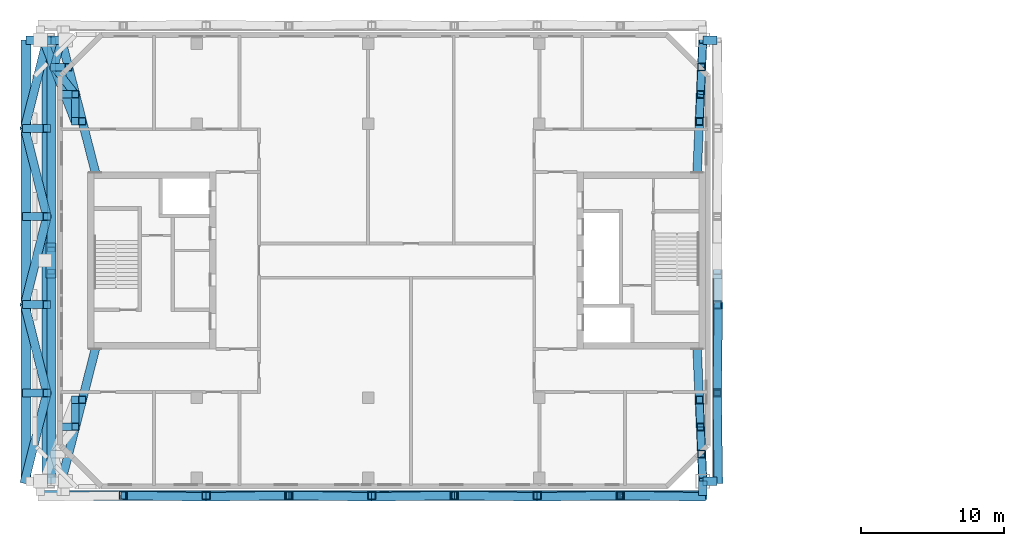
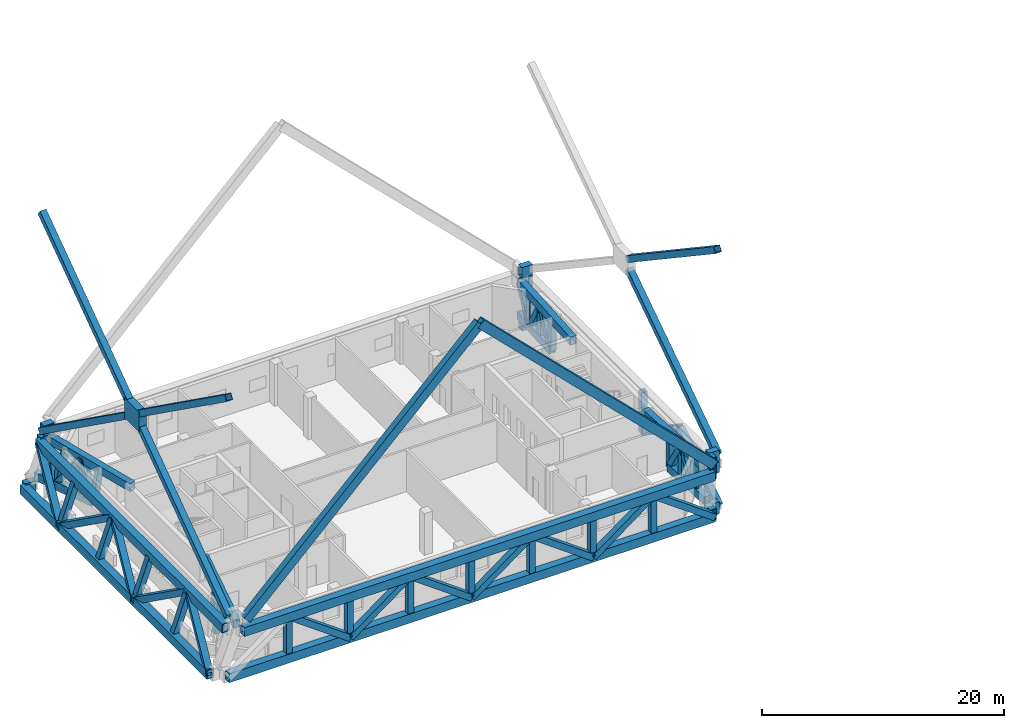
# One storey, part 2 of 20: 57 members, 23 beams.
"""IFC4 building model written with IfcOpenShell, lengths in metres."""

import ifcopenshell
import ifcopenshell.guid

model = None  # the IFC model being written
_history = None  # IfcOwnerHistory: only IFC2X3 demands one
_inside = {}  # id of a spatial element -> (the spatial element, [elements in it])
_under = {}  # id of a project, library or spatial element -> (it, [spatial elements below it])
_declared = {}  # id of a project -> (the project, [libraries it declares])
_typed = {}  # id of a type object -> (the type object, [elements of that type])
_made_of = {}  # id of a material, layer set ... -> (it, [elements and type objects made of it])


def new_model(schema):
    """Start an empty IFC model of exactly this schema.

    Asked for "IFC4X3", IfcOpenShell would pick the latest addendum, in which some entities
    have other attributes; the version numbers below select the first issue.
    IFC2X3 requires an IfcOwnerHistory on every rooted entity: one is made here for all.
    """
    global model, _history
    if schema == "IFC4X3":
        model = ifcopenshell.file(schema_version=(4, 3, 0, 0))
    else:
        model = ifcopenshell.file(schema=schema)
    _inside.clear()
    _under.clear()
    _declared.clear()
    _typed.clear()
    _made_of.clear()
    _history = None
    if model.schema == "IFC2X3":
        org = make("IfcOrganization", Name="unknown")
        user = make(
            "IfcPersonAndOrganization",
            ThePerson=make("IfcPerson", FamilyName="unknown"),
            TheOrganization=org,
        )
        app = make(
            "IfcApplication",
            ApplicationDeveloper=org,
            Version="unknown",
            ApplicationFullName="unknown",
            ApplicationIdentifier="unknown",
        )
        _history = make(
            "IfcOwnerHistory",
            OwningUser=user,
            OwningApplication=app,
            ChangeAction="ADDED",
            CreationDate=0,
        )
    return model


def make(cls, **values):
    """One entity of the class cls with the attributes given. An attribute that is None is left unset."""
    return model.create_entity(
        cls, **{name: value for name, value in values.items() if value is not None}
    )


def rooted(cls, **values):
    """An entity with a GlobalId (a new one), such as an element, a storey or a relation."""
    return make(cls, GlobalId=ifcopenshell.guid.new(), OwnerHistory=_history, **values)


def si_unit(unit_type, name, prefix=None):
    """IfcSIUnit, for example si_unit("LENGTHUNIT", "METRE", prefix="MILLI")."""
    return make("IfcSIUnit", UnitType=unit_type, Prefix=prefix, Name=name)


def assignment(units):
    """IfcUnitAssignment: the units of a project."""
    return None if units is None else make("IfcUnitAssignment", Units=units)


def point(xyz):
    """IfcCartesianPoint."""
    return None if xyz is None else make("IfcCartesianPoint", Coordinates=xyz)


def direction(xyz):
    """IfcDirection."""
    return None if xyz is None else make("IfcDirection", DirectionRatios=xyz)


def frame(location, z_axis=None, x_axis=None):
    """IfcAxis2Placement3D, a coordinate frame: its origin and axes. An axis left out is left unset."""
    return make(
        "IfcAxis2Placement3D",
        Location=point(location),
        Axis=direction(z_axis),
        RefDirection=direction(x_axis),
    )


def frame_2d(location, x_axis=None):
    """IfcAxis2Placement2D, a coordinate frame in the plane: its origin and x axis."""
    return make(
        "IfcAxis2Placement2D", Location=point(location), RefDirection=direction(x_axis)
    )


def origin():
    """The frame at (0, 0, 0) with its axes left unset."""
    return frame((0.0, 0.0, 0.0))


def origin_2d():
    """The frame at (0, 0) in the plane with its x axis left unset."""
    return frame_2d((0.0, 0.0))


def place(relative_to, where):
    """IfcLocalPlacement: puts the frame where relative to a parent placement (None: the world)."""
    return make(
        "IfcLocalPlacement", PlacementRelTo=relative_to, RelativePlacement=where
    )


def context(
    kind, dimensions, precision=None, world=None, true_north=None, identifier=None
):
    """IfcGeometricRepresentationContext, for example the 3D "Model" context."""
    return make(
        "IfcGeometricRepresentationContext",
        ContextIdentifier=identifier,
        ContextType=kind,
        CoordinateSpaceDimension=dimensions,
        Precision=precision,
        WorldCoordinateSystem=world,
        TrueNorth=true_north,
    )


def subcontext(parent, identifier, kind, view, scale=None):
    """IfcGeometricRepresentationSubContext, for example "Body" below "Model"."""
    return make(
        "IfcGeometricRepresentationSubContext",
        ContextIdentifier=identifier,
        ContextType=kind,
        ParentContext=parent,
        TargetScale=scale,
        TargetView=view,
    )


def project(units=None, contexts=None):
    """IfcProject with its units and contexts."""
    return rooted(
        "IfcProject",
        Name="project",
        RepresentationContexts=contexts,
        UnitsInContext=assignment(units),
    )


def spatial(cls, under=None, at=None, **own):
    """A site, building, storey or space (cls), placed at a placement, below another one or the project."""
    s = rooted(cls, ObjectPlacement=at, **own)
    if under is not None:
        _under.setdefault(under.id(), (under, []))[1].append(s)
    return s


def profile(cls, at=None, kind="AREA", **sizes):
    """A parametric profile (cls). Its sizes go by their IFC names, for example OverallWidth=200.0."""
    return make(cls, ProfileType=kind, Position=at, **sizes)


def rectangle(**sizes):
    """IfcRectangleProfileDef."""
    return profile("IfcRectangleProfileDef", **sizes)


def hollow_rectangle(**sizes):
    """IfcRectangleHollowProfileDef."""
    return profile("IfcRectangleHollowProfileDef", **sizes)


def extrude(swept, where, along, depth):
    """IfcExtrudedAreaSolid: the profile swept, set in the frame where, extruded along a direction by depth."""
    return make(
        "IfcExtrudedAreaSolid",
        SweptArea=swept,
        Position=where,
        ExtrudedDirection=direction(along),
        Depth=depth,
    )


def shape(context_of_items, identifier, shape_type, items):
    """IfcShapeRepresentation: the items that make up one representation, for example the "Body"."""
    return make(
        "IfcShapeRepresentation",
        ContextOfItems=context_of_items,
        RepresentationIdentifier=identifier,
        RepresentationType=shape_type,
        Items=items,
    )


def material(Name=None, Category=None):
    """IfcMaterial."""
    return make("IfcMaterial", Name=Name, Category=Category)


def material_profile(
    of_material, cross_section, Name=None, Category=None, Priority=None
):
    """IfcMaterialProfile: a cross section and its material."""
    return make(
        "IfcMaterialProfile",
        Name=Name,
        Material=of_material,
        Profile=cross_section,
        Priority=Priority,
        Category=Category,
    )


def profile_set(profiles, Name=None, composite=None):
    """IfcMaterialProfileSet."""
    return make(
        "IfcMaterialProfileSet",
        Name=Name,
        MaterialProfiles=profiles,
        CompositeProfile=composite,
    )


def made_of(thing, what):
    """Note that an element or type object is made of a material, layer set ...; save() writes the relation."""
    if what is not None:
        _made_of.setdefault(what.id(), (what, []))[1].append(thing)
    return thing


def type_object(cls, material=None, **own):
    """A type object (cls), such as IfcWallType, which elements share."""
    return made_of(rooted(cls, **own), material)


def element(
    cls,
    number,
    at=None,
    inside=None,
    cuts=None,
    type_object=None,
    material=None,
    context=None,
    identifier="Body",
    shape_type=None,
    held_by="IfcProductDefinitionShape",
    body=None,
    shapes=None,
    **own,
):
    """One element of the class cls, such as IfcWall. Its Tag is "e" and its number.

    at: its placement. inside: the storey or other place that contains it. cuts: it is an
    opening in that element (IfcRelVoidsElement). A single representation is given by context,
    identifier, shape_type and body (its items); several are given by shapes. held_by: the class
    of the entity that holds the representations. save() writes the other relations.
    """
    e = rooted(cls, Tag="e%d" % number, ObjectPlacement=at, **own)
    if body is not None:
        shapes = [shape(context, identifier, shape_type, body)]
    if shapes is not None:
        e.Representation = make(held_by, Representations=shapes)
    if inside is not None:
        _inside.setdefault(inside.id(), (inside, []))[1].append(e)
    if cuts is not None:
        rooted(
            "IfcRelVoidsElement", RelatingBuildingElement=cuts, RelatedOpeningElement=e
        )
    if type_object is not None:
        _typed.setdefault(type_object.id(), (type_object, []))[1].append(e)
    return made_of(e, material)


def aggregate(whole, parts):
    """IfcRelAggregates: a whole, such as a stair, and the parts it consists of."""
    return rooted("IfcRelAggregates", RelatingObject=whole, RelatedObjects=parts)


def save(model, path):
    """Write the relations noted so far, then the file.

    IfcRelAggregates (storeys below a building ...), IfcRelContainedInSpatialStructure (elements
    in a storey), IfcRelDefinesByType, IfcRelAssociatesMaterial and IfcRelDeclares: one each for
    every whole, place, type object, material and project.
    """
    for whole, parts in _under.values():
        aggregate(whole, parts)
    for where, things in _inside.values():
        rooted(
            "IfcRelContainedInSpatialStructure",
            RelatedElements=things,
            RelatingStructure=where,
        )
    for kind, things in _typed.values():
        rooted("IfcRelDefinesByType", RelatedObjects=things, RelatingType=kind)
    for what, things in _made_of.values():
        rooted("IfcRelAssociatesMaterial", RelatedObjects=things, RelatingMaterial=what)
    for by, libraries in _declared.values():
        rooted("IfcRelDeclares", RelatingContext=by, RelatedDefinitions=libraries)
    model.write(path)


model = new_model("IFC4")

# Units and contexts
model_context = context("Model", 3, precision=1e-05, world=origin(), true_north=direction((0.0, 1.0)))
body_context = subcontext(model_context, "Body", "Model", "MODEL_VIEW")
ifc_project = project(units=[si_unit("LENGTHUNIT", "METRE"), si_unit("AREAUNIT", "SQUARE_METRE"), si_unit("VOLUMEUNIT", "CUBIC_METRE"), si_unit("PLANEANGLEUNIT", "RADIAN"), si_unit("MASSUNIT", "GRAM", prefix="KILO")], contexts=[model_context])

# Site, building, storey
site_placement = place(None, origin())
site = spatial("IfcSite", under=ifc_project, at=site_placement, CompositionType="ELEMENT")
building_placement = place(site_placement, origin())
building = spatial("IfcBuilding", under=site, at=building_placement, Name="Tuart Gate Housing", CompositionType="ELEMENT")
storey_placement = place(building_placement, frame((0.0, 0.0, 167.10009765625)))
storey = spatial("IfcBuildingStorey", under=building, at=storey_placement, Name="L47", CompositionType="ELEMENT", Elevation=167.10009765625)

# Beams
ifc_material_1 = material(Name="Steel Grade 350", Category="steel")
ifc_material_profile_1 = material_profile(ifc_material_1, hollow_rectangle(XDim=0.699951171875, YDim=0.89990234375, WallThickness=0.0400390625, at=origin_2d()), Name="BOX 900x700x40")
ifc_profile_set_1 = profile_set([ifc_material_profile_1], Name="Steel Grade 350")
beam_type_1 = type_object("IfcBeamType", Name="Belt truss chord BOX 900x700x40", PredefinedType="BEAM", material=ifc_profile_set_1)
beam_1_placement = place(storey_placement, frame((29.50830078125, 54.550048828125, 3.75), z_axis=(0.0, 1.0, 0.0), x_axis=(-1.0, 0.0, 0.0)))
element("IfcBeam", 1, at=beam_1_placement, inside=storey, type_object=beam_type_1, Name="Belt truss top chord A west L47", PredefinedType="BEAM", context=body_context, shape_type="SweptSolid", body=[
    extrude(hollow_rectangle(XDim=0.699951171875, YDim=0.89990234375, WallThickness=0.0400390625, at=origin_2d()), origin(), (0.0, 0.0, 1.0), 30.89990234375),
])
ifc_material_2 = material(Name="Steel Grade 350", Category="steel")
ifc_material_profile_2 = material_profile(ifc_material_2, hollow_rectangle(XDim=0.699951171875, YDim=0.89990234375, WallThickness=0.0400390625, at=origin_2d()), Name="BOX 900x700x40")
ifc_profile_set_2 = profile_set([ifc_material_profile_2], Name="Steel Grade 350")
beam_type_2 = type_object("IfcBeamType", Name="Belt truss chord BOX 900x700x40 (40.9-51.9 m)", PredefinedType="BEAM", material=ifc_profile_set_2)
beam_2_placement = place(storey_placement, frame((30.50830078125, 53.550048828125, 3.75), z_axis=(1.0, 0.0, 0.0), x_axis=(0.0, 1.0, 0.0)))
element("IfcBeam", 2, at=beam_2_placement, inside=storey, type_object=beam_type_2, Name="Belt truss top chord A south L47", PredefinedType="BEAM", context=body_context, shape_type="SweptSolid", body=[
    extrude(hollow_rectangle(XDim=0.699951171875, YDim=0.89990234375, WallThickness=0.0400390625, at=origin_2d()), origin(), (0.0, 0.0, 1.0), 44.941650390625),
])

# Members
ifc_material_3 = material(Name="Steel Grade 350", Category="steel")
ifc_material_profile_3 = material_profile(ifc_material_3, hollow_rectangle(XDim=0.60009765625, YDim=0.60009765625, WallThickness=0.031982421875, at=origin_2d()), Name="BOX 600x600x32")
ifc_profile_set_3 = profile_set([ifc_material_profile_3], Name="Steel Grade 350")
member_type_1 = type_object("IfcMemberType", Name="Belt truss diagonal BOX 600x600x32", PredefinedType="BRACE", material=ifc_profile_set_3)
member_1_placement = place(storey_placement, frame((34.85009765625, 53.550048828125, 3.75), z_axis=(0.813160409386, -0.014034171066, -0.581870424278), x_axis=(0.017256227946, 0.999851100213, 0.0)))
element("IfcMember", 3, at=member_1_placement, inside=storey, type_object=member_type_1, Name="Belt truss diagonal A south 1 L47", PredefinedType="BRACE", context=body_context, shape_type="SweptSolid", body=[
    extrude(hollow_rectangle(XDim=0.60009765625, YDim=0.60009765625, WallThickness=0.031982421875, at=origin_2d()), origin(), (0.0, 0.0, 1.0), 7.13232421875),
])
for number, where, z_axis, x_axis, name in (
    (4, (40.64990234375, 53.449951171875, -0.400146484375), (0.813172004898, 0.014033780444, 0.581854228701), (-0.017255501798, 0.999851112745, 0.0), "Belt truss diagonal A south 2 L47"),
    (5, (46.449951171875, 53.550048828125, 3.75), (0.813172004898, -0.014033780444, -0.581854228701), (0.017255501798, 0.999851112745, 0.0), "Belt truss diagonal A south 3 L47"),
    (6, (52.25, 53.449951171875, -0.400146484375), (0.813172004898, 0.014033780444, 0.581854228701), (-0.017255501798, 0.999851112745, 0.0), "Belt truss diagonal A south 4 L47"),
    (7, (58.050048828125, 53.550048828125, 3.75), (0.813172004898, -0.014033780444, -0.581854228701), (0.017255501798, 0.999851112745, 0.0), "Belt truss diagonal A south 5 L47"),
):
    element("IfcMember", number, at=place(storey_placement, frame(where, z_axis=z_axis, x_axis=x_axis)), inside=storey, type_object=member_type_1, Name=name, PredefinedType="BRACE", context=body_context, shape_type="SweptSolid", body=[
        extrude(hollow_rectangle(XDim=0.60009765625, YDim=0.60009765625, WallThickness=0.031982421875, at=origin_2d()), origin(), (0.0, 0.0, 1.0), 7.132568359375),
    ])
member_2_placement = place(storey_placement, frame((63.85009765625, 53.449951171875, -0.400146484375), z_axis=(0.813160409386, 0.014034171066, 0.581870424278), x_axis=(-0.017256227946, 0.999851100213, 0.0)))
element("IfcMember", 8, at=member_2_placement, inside=storey, type_object=member_type_1, Name="Belt truss diagonal A south 6 L47", PredefinedType="BRACE", context=body_context, shape_type="SweptSolid", body=[
    extrude(hollow_rectangle(XDim=0.60009765625, YDim=0.60009765625, WallThickness=0.031982421875, at=origin_2d()), origin(), (0.0, 0.0, 1.0), 7.13232421875),
])
member_3_placement = place(storey_placement, frame((69.64990234375, 53.550048828125, 3.75), z_axis=(0.813172004898, -0.014033780444, -0.581854228701), x_axis=(0.017255501798, 0.999851112745, 0.0)))
element("IfcMember", 9, at=member_3_placement, inside=storey, type_object=member_type_1, Name="Belt truss diagonal A south 7 L47", PredefinedType="BRACE", context=body_context, shape_type="SweptSolid", body=[
    extrude(hollow_rectangle(XDim=0.60009765625, YDim=0.60009765625, WallThickness=0.031982421875, at=origin_2d()), origin(), (0.0, 0.0, 1.0), 7.132568359375),
])
for number, where, z_axis, x_axis, name in (
    (10, (27.949951171875, 54.550048828125, -0.400146484375), (0.204897553184, 0.812560201121, 0.545676563776), (-0.969647016949, 0.244509023395, 0.0), "Belt truss diagonal A west 0 L47"),
    (11, (29.50830078125, 60.72998046875, 3.75), (-0.204897553184, 0.812560201121, -0.545676563776), (-0.969647016949, -0.244509023395, 0.0), "Belt truss diagonal A west 1 L47"),
):
    element("IfcMember", number, at=place(storey_placement, frame(where, z_axis=z_axis, x_axis=x_axis)), inside=storey, type_object=member_type_1, Name=name, PredefinedType="BRACE", context=body_context, shape_type="SweptSolid", body=[
        extrude(hollow_rectangle(XDim=0.60009765625, YDim=0.60009765625, WallThickness=0.031982421875, at=origin_2d()), origin(), (0.0, 0.0, 1.0), 7.60546875),
    ])
member_4_placement = place(storey_placement, frame((27.949951171875, 66.909912109375, -0.400146484375), z_axis=(0.204892208823, 0.812571106711, 0.545662330844), x_axis=(-0.96964930695, 0.244499941782, 0.0)))
element("IfcMember", 12, at=member_4_placement, inside=storey, type_object=member_type_1, Name="Belt truss diagonal A west 2 L47", PredefinedType="BRACE", context=body_context, shape_type="SweptSolid", body=[
    extrude(hollow_rectangle(XDim=0.60009765625, YDim=0.60009765625, WallThickness=0.031982421875, at=origin_2d()), origin(), (0.0, 0.0, 1.0), 7.605712890625),
])
for number, where, z_axis, x_axis, name in (
    (13, (29.50830078125, 73.090087890625, 3.75), (-0.204897553184, 0.812560201121, -0.545676563776), (-0.969647016949, -0.244509023395, 0.0), "Belt truss diagonal A west 3 L47"),
    (14, (27.949951171875, 79.27001953125, -0.400146484375), (0.204897553184, 0.812560201121, 0.545676563776), (-0.969647016949, 0.244509023395, 0.0), "Belt truss diagonal A west 4 L47"),
):
    element("IfcMember", number, at=place(storey_placement, frame(where, z_axis=z_axis, x_axis=x_axis)), inside=storey, type_object=member_type_1, Name=name, PredefinedType="BRACE", context=body_context, shape_type="SweptSolid", body=[
        extrude(hollow_rectangle(XDim=0.60009765625, YDim=0.60009765625, WallThickness=0.031982421875, at=origin_2d()), origin(), (0.0, 0.0, 1.0), 7.60546875),
    ])
for number, where, z_axis, x_axis, name in (
    (15, (76.550048828125, 54.550048828125, -0.400146484375), (-0.013445282135, 0.830098601658, 0.55745451466), (-0.999868850984, -0.016195086671, 0.0), "Belt truss diagonal A east 0 L47"),
    (16, (76.449951171875, 60.72998046875, 3.75), (0.013445282135, 0.830098601658, -0.55745451466), (-0.999868850984, 0.016195086671, 0.0), "Belt truss diagonal A east 1 L47"),
):
    element("IfcMember", number, at=place(storey_placement, frame(where, z_axis=z_axis, x_axis=x_axis)), inside=storey, type_object=member_type_1, Name=name, PredefinedType="BRACE", context=body_context, shape_type="SweptSolid", body=[
        extrude(hollow_rectangle(XDim=0.60009765625, YDim=0.60009765625, WallThickness=0.031982421875, at=origin_2d()), origin(), (0.0, 0.0, 1.0), 7.44482421875),
    ])
ifc_material_4 = material(Name="Steel Grade 350", Category="steel")
ifc_material_profile_4 = material_profile(ifc_material_4, hollow_rectangle(XDim=0.56005859375, YDim=0.56005859375, WallThickness=0.030029296875, at=origin_2d()), Name="BOX 560x560x30")
ifc_profile_set_4 = profile_set([ifc_material_profile_4], Name="Steel Grade 350")
member_type_2 = type_object("IfcMemberType", Name="Belt truss post BOX 560x560x30", PredefinedType="POST", material=ifc_profile_set_4)
for number, where, z_axis, x_axis, name in (
    (17, (34.85009765625, 53.550048828125, -0.400146484375), (0.0, 0.0, 1.0), (1.0, 0.0, 0.0), "Belt truss post A south 1 L47"),
    (18, (40.64990234375, 53.550048828125, -0.400146484375), (0.0, 0.0, 1.0), (1.0, 0.0, 0.0), "Belt truss post A south 2 L47"),
    (19, (46.449951171875, 53.550048828125, -0.400146484375), (0.0, 0.0, 1.0), (1.0, 0.0, 0.0), "Belt truss post A south 3 L47"),
    (20, (52.25, 53.550048828125, -0.400146484375), (0.0, 0.0, 1.0), (1.0, 0.0, 0.0), "Belt truss post A south 4 L47"),
    (21, (58.050048828125, 53.550048828125, -0.400146484375), (0.0, 0.0, 1.0), (1.0, 0.0, 0.0), "Belt truss post A south 5 L47"),
    (22, (63.85009765625, 53.550048828125, -0.400146484375), (0.0, 0.0, 1.0), (1.0, 0.0, 0.0), "Belt truss post A south 6 L47"),
    (23, (69.64990234375, 53.550048828125, -0.400146484375), (0.0, 0.0, 1.0), (1.0, 0.0, 0.0), "Belt truss post A south 7 L47"),
):
    element("IfcMember", number, at=place(storey_placement, frame(where, z_axis=z_axis, x_axis=x_axis)), inside=storey, type_object=member_type_2, Name=name, PredefinedType="POST", context=body_context, shape_type="SweptSolid", body=[
        extrude(hollow_rectangle(XDim=0.56005859375, YDim=0.56005859375, WallThickness=0.030029296875, at=origin_2d()), origin(), (0.0, 0.0, 1.0), 4.150146484375),
    ])
for number, where, z_axis, x_axis, name in (
    (24, (28.050048828125, 60.72998046875, -0.400146484375), (0.331504687585, 0.0, 0.943453571783), (0.0, 1.0, 0.0), "Belt truss post A west 1 L47"),
    (25, (28.050048828125, 66.909912109375, -0.400146484375), (0.331504687585, 0.0, 0.943453571783), (0.0, 1.0, 0.0), "Belt truss post A west 2 L47"),
    (26, (28.050048828125, 73.090087890625, -0.400146484375), (0.331504687585, 0.0, 0.943453571783), (0.0, 1.0, 0.0), "Belt truss post A west 3 L47"),
    (27, (28.050048828125, 79.27001953125, -0.400146484375), (0.331504687585, 0.0, 0.943453571783), (0.0, 1.0, 0.0), "Belt truss post A west 4 L47"),
):
    element("IfcMember", number, at=place(storey_placement, frame(where, z_axis=z_axis, x_axis=x_axis)), inside=storey, type_object=member_type_2, Name=name, PredefinedType="POST", context=body_context, shape_type="SweptSolid", body=[
        extrude(hollow_rectangle(XDim=0.56005859375, YDim=0.56005859375, WallThickness=0.030029296875, at=origin_2d()), origin(), (0.0, 0.0, 1.0), 4.39892578125),
    ])
for number, where, z_axis, x_axis, name in (
    (28, (76.449951171875, 60.72998046875, -0.400146484375), (0.0, 0.0, 1.0), (1.0, 0.0, 0.0), "Belt truss post A east 1 L47"),
    (29, (76.449951171875, 66.909912109375, -0.400146484375), (0.0, 0.0, 1.0), (1.0, 0.0, 0.0), "Belt truss post A east 2 L47"),
):
    element("IfcMember", number, at=place(storey_placement, frame(where, z_axis=z_axis, x_axis=x_axis)), inside=storey, type_object=member_type_2, Name=name, PredefinedType="POST", context=body_context, shape_type="SweptSolid", body=[
        extrude(hollow_rectangle(XDim=0.56005859375, YDim=0.56005859375, WallThickness=0.030029296875, at=origin_2d()), origin(), (0.0, 0.0, 1.0), 4.150146484375),
    ])
ifc_material_5 = material(Name="Steel Grade 350", Category="steel")
ifc_material_profile_5 = material_profile(ifc_material_5, rectangle(XDim=2.446044921875, YDim=2.0048828125, at=origin_2d()), Name="Brace node plate 2446 x 2005")
ifc_profile_set_5 = profile_set([ifc_material_profile_5], Name="Steel Grade 350")
member_type_3 = type_object("IfcMemberType", Name="Brace node plate 2446 x 2005", PredefinedType="PLATE", material=ifc_profile_set_5)
member_5_placement = place(storey_placement, frame((29.455078125, 70.0, 15.85986328125), z_axis=(1.0, 0.0, 0.0), x_axis=(0.0, 1.0, 0.0)))
element("IfcMember", 30, at=member_5_placement, inside=storey, type_object=member_type_3, Name="Brace node A zone 7 west", PredefinedType="PLATE", context=body_context, shape_type="SweptSolid", body=[
    extrude(rectangle(XDim=2.446044921875, YDim=2.0048828125, at=origin_2d()), origin(), (0.0, 0.0, 1.0), 0.68994140625),
])

# Beams
ifc_material_6 = material(Name="Steel Grade 350", Category="steel")
ifc_material_profile_6 = material_profile(ifc_material_6, hollow_rectangle(XDim=0.60009765625, YDim=1.199951171875, WallThickness=0.0400390625, at=origin_2d()), Name="BOX 1200x600x40")
ifc_profile_set_6 = profile_set([ifc_material_profile_6], Name="Steel Grade 350")
beam_type_3 = type_object("IfcBeamType", Name="Brace shoe BOX 1200x600x40", PredefinedType="BEAM", material=ifc_profile_set_6)
for number, where, z_axis, x_axis, name in (
    (31, (75.449951171875, 54.550048828125, -0.400146484375), (0.0, -1.0, 0.0), (1.0, 0.0, 0.0), "Mega tie beam A node 6 south shoe 1 L47"),
    (32, (29.050048828125, 85.449951171875, -0.400146484375), (-1.0, 0.0, 0.0), (0.0, -1.0, 0.0), "Mega tie beam A node 6 west shoe 1 L47"),
    (33, (75.449951171875, 54.550048828125, -0.400146484375), (1.0, 0.0, 0.0), (0.0, 1.0, 0.0), "Mega tie beam A node 6 east shoe 0 L47"),
    (34, (75.449951171875, 85.449951171875, -0.400146484375), (1.0, 0.0, 0.0), (0.0, 1.0, 0.0), "Mega tie beam A node 6 east shoe 1 L47"),
    (35, (75.449951171875, 54.550048828125, 4.81982421875), (0.0, -1.0, 0.0), (1.0, 0.0, 0.0), "Mega brace shoe A zone 7 south chevron 2"),
    (36, (30.800048828125, 85.449951171875, 4.81982421875), (-1.0, 0.0, 0.0), (0.0, -1.0, 0.0), "Mega brace shoe A zone 7 west cross 2"),
    (37, (75.449951171875, 54.550048828125, 4.81982421875), (1.0, 0.0, 0.0), (0.0, 1.0, 0.0), "Mega brace shoe A zone 7 east cross 1"),
    (38, (75.449951171875, 85.449951171875, 4.81982421875), (1.0, 0.0, 0.0), (0.0, 1.0, 0.0), "Mega brace shoe A zone 7 east cross 2"),
    (39, (75.449951171875, 54.550048828125, 3.75), (0.0, -1.0, 0.0), (1.0, 0.0, 0.0), "Belt truss top chord A south shoe 1 L47"),
    (40, (30.50830078125, 85.449951171875, 3.75), (-1.0, 0.0, 0.0), (0.0, -1.0, 0.0), "Belt truss top chord A west shoe 1 L47"),
    (41, (75.449951171875, 54.550048828125, 3.75), (1.0, 0.0, 0.0), (0.0, 1.0, 0.0), "Belt truss top chord A east shoe 0 L47"),
    (42, (75.449951171875, 85.449951171875, 3.75), (1.0, 0.0, 0.0), (0.0, 1.0, 0.0), "Belt truss top chord A east shoe 1 L47"),
):
    element("IfcBeam", number, at=place(storey_placement, frame(where, z_axis=z_axis, x_axis=x_axis)), inside=storey, type_object=beam_type_3, Name=name, PredefinedType="BEAM", context=body_context, shape_type="SweptSolid", body=[
        extrude(hollow_rectangle(XDim=0.60009765625, YDim=1.199951171875, WallThickness=0.0400390625, at=origin_2d()), origin(), (0.0, 0.0, 1.0), 1.0),
    ])

# Members
ifc_material_7 = material(Name="Steel Grade 350", Category="steel")
ifc_material_profile_7 = material_profile(ifc_material_7, hollow_rectangle(XDim=0.60009765625, YDim=0.60009765625, WallThickness=0.030029296875, at=origin_2d()), Name="BOX 600x600x30")
ifc_profile_set_7 = profile_set([ifc_material_profile_7], Name="Steel Grade 350")
member_type_4 = type_object("IfcMemberType", Name="Mega brace BOX 600x600x30", PredefinedType="BRACE", material=ifc_profile_set_7)
for number, where, z_axis, x_axis, name in (
    (43, (29.800048828125, 54.550048828125, 4.81982421875), (0.0, 0.813622806958, 0.581393092492), (-1.0, 0.0, 0.0), "Mega brace A zone 7 west cross 1 a"),
    (44, (29.800048828125, 70.77294921875, 16.412109375), (0.0, 0.813622806958, 0.581393092492), (-1.0, 0.0, 0.0), "Mega brace A zone 7 west cross 1 b"),
    (45, (29.800048828125, 85.449951171875, 4.81982421875), (0.0, -0.813622806958, 0.581393092492), (1.0, 0.0, 0.0), "Mega brace A zone 7 west cross 2 a"),
    (46, (29.800048828125, 69.22705078125, 16.412109375), (0.0, -0.813622806958, 0.581393092492), (1.0, 0.0, 0.0), "Mega brace A zone 7 west cross 2 b"),
):
    element("IfcMember", number, at=place(storey_placement, frame(where, z_axis=z_axis, x_axis=x_axis)), inside=storey, type_object=member_type_4, Name=name, PredefinedType="BRACE", context=body_context, shape_type="SweptSolid", body=[
        extrude(hollow_rectangle(XDim=0.60009765625, YDim=0.60009765625, WallThickness=0.030029296875, at=origin_2d()), origin(), (0.0, 0.0, 1.0), 18.0390625),
    ])
for number, where, z_axis, x_axis, name in (
    (47, (76.449951171875, 54.550048828125, 4.81982421875), (0.0, 0.831050370264, 0.556197161161), (-1.0, 0.0, 0.0), "Mega brace A zone 7 east cross 1 a"),
    (48, (76.449951171875, 69.21044921875, 15.688232421875), (0.0, -0.831050370264, 0.556197161161), (1.0, 0.0, 0.0), "Mega brace A zone 7 east cross 2 b"),
):
    element("IfcMember", number, at=place(storey_placement, frame(where, z_axis=z_axis, x_axis=x_axis)), inside=storey, type_object=member_type_4, Name=name, PredefinedType="BRACE", context=body_context, shape_type="SweptSolid", body=[
        extrude(hollow_rectangle(XDim=0.60009765625, YDim=0.60009765625, WallThickness=0.030029296875, at=origin_2d()), origin(), (0.0, 0.0, 1.0), 17.640869140625),
    ])
ifc_material_8 = material(Name="Steel Grade 350", Category="steel")
ifc_material_profile_8 = material_profile(ifc_material_8, hollow_rectangle(XDim=0.60009765625, YDim=0.85009765625, WallThickness=0.0419921875, at=origin_2d()), Name="BOX 850x600x42")
ifc_profile_set_8 = profile_set([ifc_material_profile_8], Name="Steel Grade 350")
member_type_5 = type_object("IfcMemberType", Name="Mega brace BOX 850x600x42", PredefinedType="BRACE", material=ifc_profile_set_8)
for number, where, z_axis, x_axis, name in (
    (49, (30.800048828125, 53.550048828125, 4.81982421875), (0.710995334989, 0.0, 0.703196724696), (0.0, 1.0, 0.0), "Mega brace A zone 7 south chevron 1"),
    (50, (75.449951171875, 53.550048828125, 4.81982421875), (-0.710995334989, 0.0, 0.703196724696), (0.0, -1.0, 0.0), "Mega brace A zone 7 south chevron 2"),
):
    element("IfcMember", number, at=place(storey_placement, frame(where, z_axis=z_axis, x_axis=x_axis)), inside=storey, type_object=member_type_5, Name=name, PredefinedType="BRACE", context=body_context, shape_type="SweptSolid", body=[
        extrude(hollow_rectangle(XDim=0.60009765625, YDim=0.85009765625, WallThickness=0.0419921875, at=origin_2d()), origin(), (0.0, 0.0, 1.0), 31.399658203125),
    ])

# Beams
ifc_material_9 = material(Name="Steel Grade 350", Category="steel")
ifc_material_profile_9 = material_profile(ifc_material_9, hollow_rectangle(XDim=0.60009765625, YDim=0.800048828125, WallThickness=0.0400390625, at=origin_2d()), Name="BOX 800x600x40")
ifc_profile_set_9 = profile_set([ifc_material_profile_9], Name="Steel Grade 350")
beam_type_4 = type_object("IfcBeamType", Name="Outrigger chord BOX 800x600x40", PredefinedType="BEAM", material=ifc_profile_set_9)
beam_3_placement = place(storey_placement, frame((31.481689453125, 79.75, 0.5498046875), z_axis=(-0.362606137903, 0.931942481463, 0.0), x_axis=(-0.931942481463, -0.362606137903, 0.0)))
element("IfcBeam", 51, at=beam_3_placement, inside=storey, type_object=beam_type_4, Name="Outrigger bottom chord AK north 0 L47", PredefinedType="BEAM", context=body_context, shape_type="SweptSolid", body=[
    extrude(hollow_rectangle(XDim=0.60009765625, YDim=0.800048828125, WallThickness=0.0400390625, at=origin_2d()), origin(), (0.0, 0.0, 1.0), 6.1162109375),
])
for number, where, z_axis, x_axis, name in (
    (52, (75.2041015625, 60.25, 0.5498046875), (0.043091815399, -0.99907111631, 0.0), (0.99907111631, 0.043091815399, 0.0), "Outrigger bottom chord AG south 0 L47"),
    (53, (75.2041015625, 79.75, 0.5498046875), (0.043091815399, 0.99907111631, 0.0), (-0.99907111631, 0.043091815399, 0.0), "Outrigger bottom chord AG north 0 L47"),
):
    element("IfcBeam", number, at=place(storey_placement, frame(where, z_axis=z_axis, x_axis=x_axis)), inside=storey, type_object=beam_type_4, Name=name, PredefinedType="BEAM", context=body_context, shape_type="SweptSolid", body=[
        extrude(hollow_rectangle(XDim=0.60009765625, YDim=0.800048828125, WallThickness=0.0400390625, at=origin_2d()), origin(), (0.0, 0.0, 1.0), 5.705322265625),
    ])
ifc_material_10 = material(Name="Steel Grade 350", Category="steel")
ifc_material_profile_10 = material_profile(ifc_material_10, hollow_rectangle(XDim=0.60009765625, YDim=0.800048828125, WallThickness=0.0400390625, at=origin_2d()), Name="BOX 800x600x40")
ifc_profile_set_10 = profile_set([ifc_material_profile_10], Name="Steel Grade 350")
beam_type_5 = type_object("IfcBeamType", Name="Outrigger chord BOX 800x600x40 (8.2-10.5 m)", PredefinedType="BEAM", material=ifc_profile_set_10)
for number, where, z_axis, x_axis, name in (
    (54, (32.9599609375, 64.050048828125, 3.7998046875), (-0.248014746901, -0.968756256919, 0.0), (0.968756256919, -0.248014746901, 0.0), "Outrigger top chord AK south L47"),
    (55, (32.9599609375, 75.949951171875, 3.7998046875), (-0.248014746901, 0.968756256919, 0.0), (-0.968756256919, -0.248014746901, 0.0), "Outrigger top chord AK north L47"),
):
    element("IfcBeam", number, at=place(storey_placement, frame(where, z_axis=z_axis, x_axis=x_axis)), inside=storey, type_object=beam_type_5, Name=name, PredefinedType="BEAM", context=body_context, shape_type="SweptSolid", body=[
        extrude(hollow_rectangle(XDim=0.60009765625, YDim=0.800048828125, WallThickness=0.0400390625, at=origin_2d()), origin(), (0.0, 0.0, 1.0), 9.806396484375),
    ])
for number, where, z_axis, x_axis, name in (
    (56, (75.0400390625, 64.050048828125, 3.7998046875), (0.043108531904, -0.999070395156, 0.0), (0.999070395156, 0.043108531904, 0.0), "Outrigger top chord AG south L47"),
    (57, (75.0400390625, 75.949951171875, 3.7998046875), (0.043108531904, 0.999070395156, 0.0), (-0.999070395156, 0.043108531904, 0.0), "Outrigger top chord AG north L47"),
):
    element("IfcBeam", number, at=place(storey_placement, frame(where, z_axis=z_axis, x_axis=x_axis)), inside=storey, type_object=beam_type_5, Name=name, PredefinedType="BEAM", context=body_context, shape_type="SweptSolid", body=[
        extrude(hollow_rectangle(XDim=0.60009765625, YDim=0.800048828125, WallThickness=0.0400390625, at=origin_2d()), origin(), (0.0, 0.0, 1.0), 9.5087890625),
    ])

# Members
ifc_material_11 = material(Name="Steel Grade 350", Category="steel")
ifc_material_profile_11 = material_profile(ifc_material_11, hollow_rectangle(XDim=0.5400390625, YDim=0.5400390625, WallThickness=0.030029296875, at=origin_2d()), Name="BOX 540x540x30")
ifc_profile_set_11 = profile_set([ifc_material_profile_11], Name="Steel Grade 350")
member_type_6 = type_object("IfcMemberType", Name="Outrigger diagonal BOX 540x540x30", PredefinedType="BRACE", material=ifc_profile_set_11)
for number, where, z_axis, x_axis, name in (
    (58, (31.481689453125, 60.25, 0.5498046875), (0.005058381161, -0.504670797363, 0.863297051465), (0.999949772214, 0.010022626861, 0.0), "Outrigger diagonal AK south 2 L47"),
    (59, (31.481689453125, 79.75, 0.5498046875), (0.005058381161, 0.504670797363, 0.863297051465), (-0.999949772214, 0.010022626861, 0.0), "Outrigger diagonal AK north 2 L47"),
):
    element("IfcMember", number, at=place(storey_placement, frame(where, z_axis=z_axis, x_axis=x_axis)), inside=storey, type_object=member_type_6, Name=name, PredefinedType="BRACE", context=body_context, shape_type="SweptSolid", body=[
        extrude(hollow_rectangle(XDim=0.5400390625, YDim=0.5400390625, WallThickness=0.030029296875, at=origin_2d()), origin(), (0.0, 0.0, 1.0), 3.7646484375),
    ])
member_6_placement = place(storey_placement, frame((31.500732421875, 81.64990234375, 3.7998046875), z_axis=(-0.369618425189, 0.468982752404, -0.802145496595), x_axis=(-0.785396525704, -0.618992970406, 0.0)))
element("IfcMember", 60, at=member_6_placement, inside=storey, type_object=member_type_6, Name="Outrigger diagonal AK north 3 L47", PredefinedType="BRACE", context=body_context, shape_type="SweptSolid", body=[
    extrude(hollow_rectangle(XDim=0.5400390625, YDim=0.5400390625, WallThickness=0.030029296875, at=origin_2d()), origin(), (0.0, 0.0, 1.0), 4.051513671875),
])
member_7_placement = place(storey_placement, frame((30.003173828125, 83.550048828125, 0.5498046875), z_axis=(0.138032607449, 0.499846324417, 0.855044239351), x_axis=(-0.963921412338, 0.266186984723, 0.0)))
element("IfcMember", 61, at=member_7_placement, inside=storey, type_object=member_type_6, Name="Outrigger diagonal AK north 4 L47", PredefinedType="BRACE", context=body_context, shape_type="SweptSolid", body=[
    extrude(hollow_rectangle(XDim=0.5400390625, YDim=0.5400390625, WallThickness=0.030029296875, at=origin_2d()), origin(), (0.0, 0.0, 1.0), 3.801025390625),
])
member_8_placement = place(storey_placement, frame((75.2041015625, 60.25, 0.5498046875), z_axis=(0.021720251236, -0.504558194384, 0.863104431205), x_axis=(0.999074718087, 0.043008228034, 0.0)))
element("IfcMember", 62, at=member_8_placement, inside=storey, type_object=member_type_6, Name="Outrigger diagonal AG south 2 L47", PredefinedType="BRACE", context=body_context, shape_type="SweptSolid", body=[
    extrude(hollow_rectangle(XDim=0.5400390625, YDim=0.5400390625, WallThickness=0.030029296875, at=origin_2d()), origin(), (0.0, 0.0, 1.0), 3.765380859375),
])
member_9_placement = place(storey_placement, frame((75.285888671875, 58.35009765625, 3.7998046875), z_axis=(0.021784344401, -0.504605810923, -0.863074978158), x_axis=(0.999069432334, 0.043130840198, 0.0)))
element("IfcMember", 63, at=member_9_placement, inside=storey, type_object=member_type_6, Name="Outrigger diagonal AG south 3 L47", PredefinedType="BRACE", context=body_context, shape_type="SweptSolid", body=[
    extrude(hollow_rectangle(XDim=0.5400390625, YDim=0.5400390625, WallThickness=0.030029296875, at=origin_2d()), origin(), (0.0, 0.0, 1.0), 3.765625),
])
for number, where, z_axis, x_axis, name in (
    (64, (75.367919921875, 56.449951171875, 0.5498046875), (0.021785057082, -0.504557482773, 0.863103213913), (0.999069193493, 0.043136372271, 0.0), "Outrigger diagonal AG south 4 L47"),
    (65, (75.2041015625, 79.75, 0.5498046875), (0.021720251236, 0.504558194384, 0.863104431205), (-0.999074718087, 0.043008228034, 0.0), "Outrigger diagonal AG north 2 L47"),
):
    element("IfcMember", number, at=place(storey_placement, frame(where, z_axis=z_axis, x_axis=x_axis)), inside=storey, type_object=member_type_6, Name=name, PredefinedType="BRACE", context=body_context, shape_type="SweptSolid", body=[
        extrude(hollow_rectangle(XDim=0.5400390625, YDim=0.5400390625, WallThickness=0.030029296875, at=origin_2d()), origin(), (0.0, 0.0, 1.0), 3.765380859375),
    ])
member_10_placement = place(storey_placement, frame((75.285888671875, 81.64990234375, 3.7998046875), z_axis=(0.021784344401, 0.504605810923, -0.863074978158), x_axis=(-0.999069432334, 0.043130840198, 0.0)))
element("IfcMember", 66, at=member_10_placement, inside=storey, type_object=member_type_6, Name="Outrigger diagonal AG north 3 L47", PredefinedType="BRACE", context=body_context, shape_type="SweptSolid", body=[
    extrude(hollow_rectangle(XDim=0.5400390625, YDim=0.5400390625, WallThickness=0.030029296875, at=origin_2d()), origin(), (0.0, 0.0, 1.0), 3.765625),
])
member_11_placement = place(storey_placement, frame((75.367919921875, 83.550048828125, 0.5498046875), z_axis=(0.021785057082, 0.504557482773, 0.863103213913), x_axis=(-0.999069193493, 0.043136372271, 0.0)))
element("IfcMember", 67, at=member_11_placement, inside=storey, type_object=member_type_6, Name="Outrigger diagonal AG north 4 L47", PredefinedType="BRACE", context=body_context, shape_type="SweptSolid", body=[
    extrude(hollow_rectangle(XDim=0.5400390625, YDim=0.5400390625, WallThickness=0.030029296875, at=origin_2d()), origin(), (0.0, 0.0, 1.0), 3.765380859375),
])
ifc_material_12 = material(Name="Steel Grade 350", Category="steel")
ifc_material_profile_12 = material_profile(ifc_material_12, hollow_rectangle(XDim=0.52001953125, YDim=0.52001953125, WallThickness=0.028076171875, at=origin_2d()), Name="BOX 520x520x28")
ifc_profile_set_12 = profile_set([ifc_material_profile_12], Name="Steel Grade 350")
member_type_7 = type_object("IfcMemberType", Name="Outrigger post BOX 520x520x28", PredefinedType="POST", material=ifc_profile_set_12)
member_12_placement = place(storey_placement, frame((31.481689453125, 60.25, 0.5498046875), z_axis=(0.153652247583, 0.0, 0.988124985421), x_axis=(0.0, 1.0, 0.0)))
element("IfcMember", 68, at=member_12_placement, inside=storey, type_object=member_type_7, Name="Outrigger post AK south 2 L47", PredefinedType="POST", context=body_context, shape_type="SweptSolid", body=[
    extrude(hollow_rectangle(XDim=0.52001953125, YDim=0.52001953125, WallThickness=0.028076171875, at=origin_2d()), origin(), (0.0, 0.0, 1.0), 3.2890625),
])
member_13_placement = place(storey_placement, frame((30.7421875, 58.35009765625, 0.5498046875), z_axis=(0.227289741818, 0.0, 0.973827178335), x_axis=(0.0, 1.0, 0.0)))
element("IfcMember", 69, at=member_13_placement, inside=storey, type_object=member_type_7, Name="Outrigger post AK south 3 L47", PredefinedType="POST", context=body_context, shape_type="SweptSolid", body=[
    extrude(hollow_rectangle(XDim=0.52001953125, YDim=0.52001953125, WallThickness=0.028076171875, at=origin_2d()), origin(), (0.0, 0.0, 1.0), 3.33740234375),
])
member_14_placement = place(storey_placement, frame((31.481689453125, 79.75, 0.5498046875), z_axis=(0.153652247583, 0.0, 0.988124985421), x_axis=(0.0, 1.0, 0.0)))
element("IfcMember", 70, at=member_14_placement, inside=storey, type_object=member_type_7, Name="Outrigger post AK north 2 L47", PredefinedType="POST", context=body_context, shape_type="SweptSolid", body=[
    extrude(hollow_rectangle(XDim=0.52001953125, YDim=0.52001953125, WallThickness=0.028076171875, at=origin_2d()), origin(), (0.0, 0.0, 1.0), 3.2890625),
])
member_15_placement = place(storey_placement, frame((30.7421875, 81.64990234375, 0.5498046875), z_axis=(0.227289741818, 0.0, 0.973827178335), x_axis=(0.0, 1.0, 0.0)))
element("IfcMember", 71, at=member_15_placement, inside=storey, type_object=member_type_7, Name="Outrigger post AK north 3 L47", PredefinedType="POST", context=body_context, shape_type="SweptSolid", body=[
    extrude(hollow_rectangle(XDim=0.52001953125, YDim=0.52001953125, WallThickness=0.028076171875, at=origin_2d()), origin(), (0.0, 0.0, 1.0), 3.33740234375),
])
member_16_placement = place(storey_placement, frame((30.003173828125, 83.550048828125, 0.5498046875), z_axis=(0.297033125913, 0.0, 0.954867175114), x_axis=(0.0, 1.0, 0.0)))
element("IfcMember", 72, at=member_16_placement, inside=storey, type_object=member_type_7, Name="Outrigger post AK north 4 L47", PredefinedType="POST", context=body_context, shape_type="SweptSolid", body=[
    extrude(hollow_rectangle(XDim=0.52001953125, YDim=0.52001953125, WallThickness=0.028076171875, at=origin_2d()), origin(), (0.0, 0.0, 1.0), 3.403564453125),
])
for number, where, z_axis, x_axis, name in (
    (73, (75.2041015625, 60.25, 0.5498046875), (0.0, 0.0, 1.0), (1.0, 0.0, 0.0), "Outrigger post AG south 2 L47"),
    (74, (75.285888671875, 58.35009765625, 0.5498046875), (0.0, 0.0, 1.0), (1.0, 0.0, 0.0), "Outrigger post AG south 3 L47"),
    (75, (75.367919921875, 56.449951171875, 0.5498046875), (0.0, 0.0, 1.0), (1.0, 0.0, 0.0), "Outrigger post AG south 4 L47"),
    (76, (75.2041015625, 79.75, 0.5498046875), (0.0, 0.0, 1.0), (1.0, 0.0, 0.0), "Outrigger post AG north 2 L47"),
    (77, (75.285888671875, 81.64990234375, 0.5498046875), (0.0, 0.0, 1.0), (1.0, 0.0, 0.0), "Outrigger post AG north 3 L47"),
    (78, (75.367919921875, 83.550048828125, 0.5498046875), (0.0, 0.0, 1.0), (1.0, 0.0, 0.0), "Outrigger post AG north 4 L47"),
):
    element("IfcMember", number, at=place(storey_placement, frame(where, z_axis=z_axis, x_axis=x_axis)), inside=storey, type_object=member_type_7, Name=name, PredefinedType="POST", context=body_context, shape_type="SweptSolid", body=[
        extrude(hollow_rectangle(XDim=0.52001953125, YDim=0.52001953125, WallThickness=0.028076171875, at=origin_2d()), origin(), (0.0, 0.0, 1.0), 3.25),
    ])

# Beams
ifc_material_13 = material(Name="Steel Grade 350", Category="steel")
ifc_material_profile_13 = material_profile(ifc_material_13, hollow_rectangle(XDim=0.699951171875, YDim=0.89990234375, WallThickness=0.0400390625, at=origin_2d()), Name="BOX 900x700x40")
ifc_profile_set_13 = profile_set([ifc_material_profile_13], Name="Steel Grade 350")
beam_type_6 = type_object("IfcBeamType", Name="Tie beam BOX 900x700x40", PredefinedType="BEAM", material=ifc_profile_set_13)
beam_4_placement = place(storey_placement, frame((28.050048828125, 54.550048828125, -0.400146484375), z_axis=(0.0, 1.0, 0.0), x_axis=(-1.0, 0.0, 0.0)))
element("IfcBeam", 79, at=beam_4_placement, inside=storey, type_object=beam_type_6, Name="Mega tie beam A node 6 west L47", PredefinedType="BEAM", context=body_context, shape_type="SweptSolid", body=[
    extrude(hollow_rectangle(XDim=0.699951171875, YDim=0.89990234375, WallThickness=0.0400390625, at=origin_2d()), origin(), (0.0, 0.0, 1.0), 30.89990234375),
])
ifc_material_14 = material(Name="Steel Grade 350", Category="steel")
ifc_material_profile_14 = material_profile(ifc_material_14, hollow_rectangle(XDim=0.699951171875, YDim=0.89990234375, WallThickness=0.0400390625, at=origin_2d()), Name="BOX 900x700x40")
ifc_profile_set_14 = profile_set([ifc_material_profile_14], Name="Steel Grade 350")
beam_type_7 = type_object("IfcBeamType", Name="Tie beam BOX 900x700x40 (40.6-51.7 m)", PredefinedType="BEAM", material=ifc_profile_set_14)
beam_5_placement = place(storey_placement, frame((29.050048828125, 53.550048828125, -0.400146484375), z_axis=(1.0, 0.0, 0.0), x_axis=(0.0, 1.0, 0.0)))
element("IfcBeam", 80, at=beam_5_placement, inside=storey, type_object=beam_type_7, Name="Mega tie beam A node 6 south L47", PredefinedType="BEAM", context=body_context, shape_type="SweptSolid", body=[
    extrude(hollow_rectangle(XDim=0.699951171875, YDim=0.89990234375, WallThickness=0.0400390625, at=origin_2d()), origin(), (0.0, 0.0, 1.0), 46.39990234375),
])

save(model, "model.ifc")
